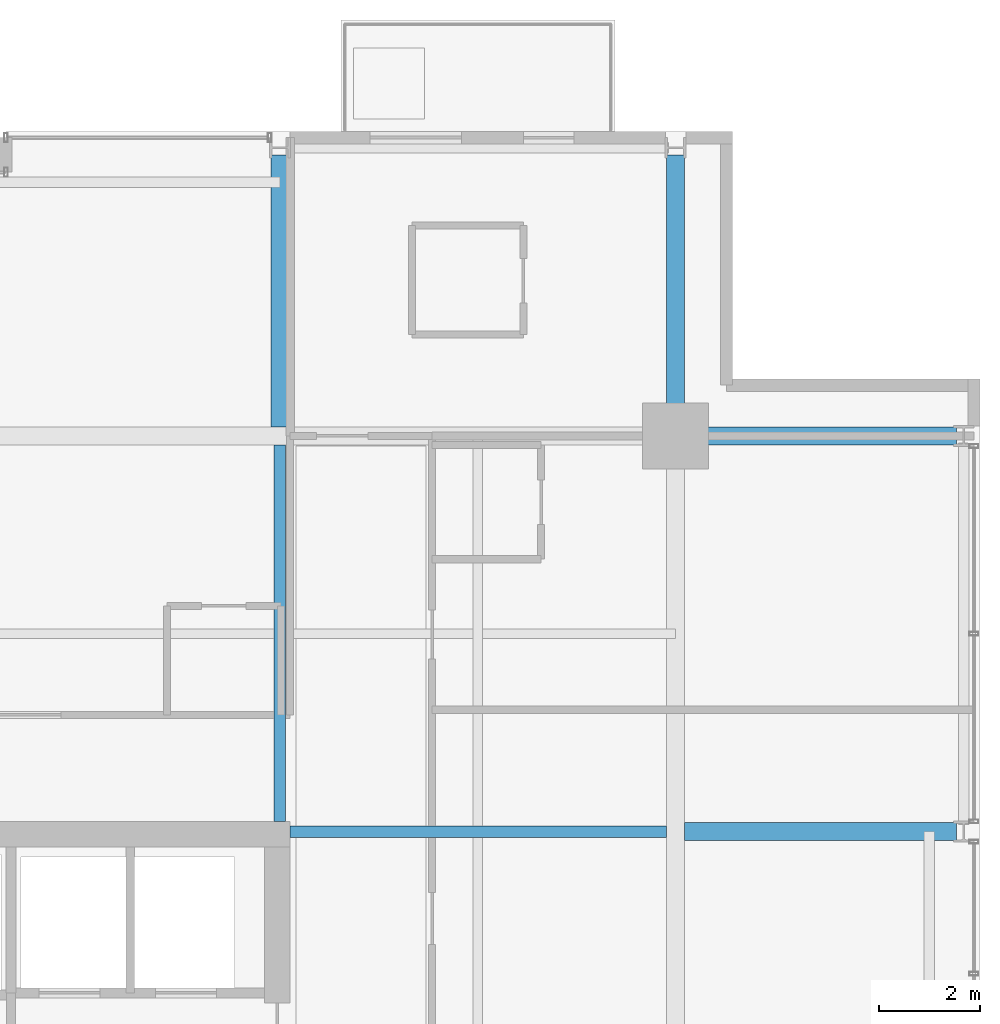
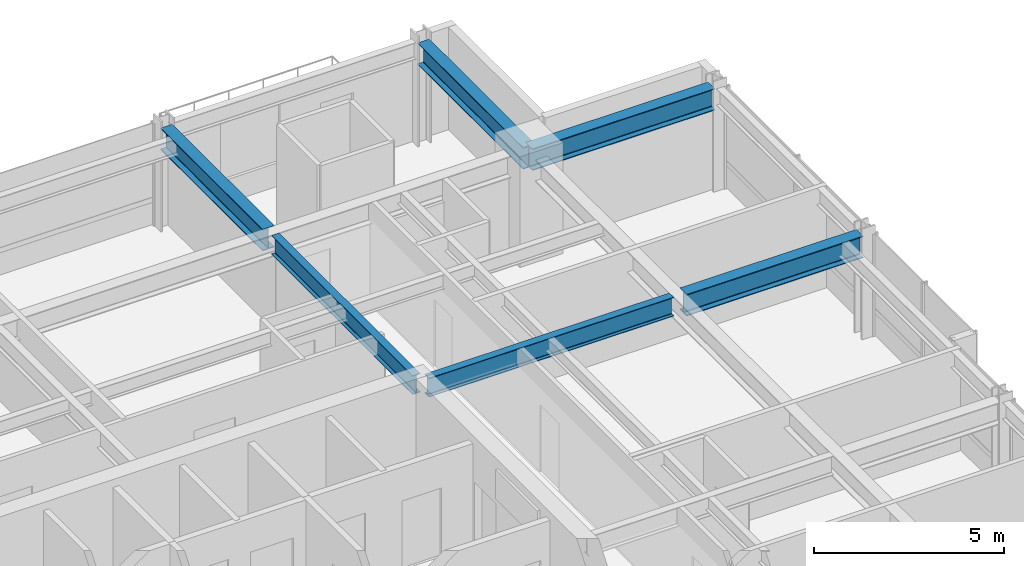
# One storey, part 23 of 33: 6 beams.
"""IFC4 building model written with IfcOpenShell, lengths in metres."""

from ifc_helpers import new_model, si_unit, direction, frame, origin, origin_2d, place, context, subcontext, project, spatial, i_section, extrude, material, material_profile, profile_set, type_object, element, save


model = new_model("IFC4")

# Units and contexts
model_context = context("Model", 3, precision=1e-05, world=origin(), true_north=direction((0.0, 1.0)))
body_context = subcontext(model_context, "Body", "Model", "MODEL_VIEW")
ifc_project = project(units=[si_unit("LENGTHUNIT", "METRE"), si_unit("AREAUNIT", "SQUARE_METRE"), si_unit("VOLUMEUNIT", "CUBIC_METRE"), si_unit("PLANEANGLEUNIT", "RADIAN"), si_unit("MASSUNIT", "GRAM", prefix="KILO")], contexts=[model_context])

# Site, building, storey
site_placement = place(None, origin())
site = spatial("IfcSite", under=ifc_project, at=site_placement, CompositionType="ELEMENT")
building_placement = place(site_placement, origin())
building = spatial("IfcBuilding", under=site, at=building_placement, Name="Drelvath Grand Hotel", CompositionType="ELEMENT")
storey_placement = place(building_placement, frame((0.0, 0.0, 171.699951171875)))
storey = spatial("IfcBuildingStorey", under=building, at=storey_placement, Name="L44", CompositionType="ELEMENT", Elevation=171.699951171875)

# Beams
ifc_material = material(Name="Steel ASTM A992 Gr 50", Category="steel")
ifc_material_profile_1 = material_profile(ifc_material, i_section(OverallWidth=0.228271484375, OverallDepth=0.607666015625, WebThickness=0.01123046875, FlangeThickness=0.017333984375, FilletRadius=0.02001953125, at=origin_2d()), Name="W24X76")
ifc_profile_set_1 = profile_set([ifc_material_profile_1], Name="Steel ASTM A992 Gr 50")
beam_type_1 = type_object("IfcBeamType", Name="Primary Floor Girder W24X76", PredefinedType="BEAM", material=ifc_profile_set_1)
for number, where, z_axis, x_axis, name in (
    (1, (8.60009765625, 35.39990234375, 2.986328125), (1.0, 0.0, 0.0), (0.0, 1.0, 0.0), "L44 East Core Tie F"),
    (2, (8.39990234375, 35.60009765625, 2.986328125), (0.0, 1.0, 0.0), (-1.0, 0.0, 0.0), "L44 North Core Tie 6"),
):
    element("IfcBeam", number, at=place(storey_placement, frame(where, z_axis=z_axis, x_axis=x_axis)), inside=storey, type_object=beam_type_1, Name=name, PredefinedType="BEAM", context=body_context, shape_type="SweptSolid", body=[
        extrude(i_section(OverallWidth=0.228271484375, OverallDepth=0.607666015625, WebThickness=0.01123046875, FlangeThickness=0.017333984375, FilletRadius=0.02001953125, at=origin_2d()), origin(), (0.0, 0.0, 1.0), 7.422607421875),
    ])
ifc_material_profile_2 = material_profile(ifc_material, i_section(OverallWidth=0.354736328125, OverallDepth=0.695556640625, WebThickness=0.015380859375, FlangeThickness=0.025146484375, FilletRadius=0.02392578125, at=origin_2d()), Name="W27X146")
ifc_profile_set_2 = profile_set([ifc_material_profile_2], Name="Steel ASTM A992 Gr 50")
beam_type_2 = type_object("IfcBeamType", Name="Primary Floor Girder W27X146", PredefinedType="BEAM", material=ifc_profile_set_2)
beam_1_placement = place(storey_placement, frame((16.199951171875, 43.199951171875, 2.9423828125), z_axis=(1.0, 0.0, 0.0), x_axis=(0.0, 1.0, 0.0)))
element("IfcBeam", 3, at=beam_1_placement, inside=storey, type_object=beam_type_2, Name="L44 East Grid Girder G", PredefinedType="BEAM", context=body_context, shape_type="SweptSolid", body=[
    extrude(i_section(OverallWidth=0.354736328125, OverallDepth=0.695556640625, WebThickness=0.015380859375, FlangeThickness=0.025146484375, FilletRadius=0.02392578125, at=origin_2d()), origin(), (0.0, 0.0, 1.0), 5.5400390625),
])
beam_2_placement = place(storey_placement, frame((16.37744140625, 35.39990234375, 2.9423828125), z_axis=(1.0, 0.0, 0.0), x_axis=(0.0, 1.0, 0.0)))
element("IfcBeam", 4, at=beam_2_placement, inside=storey, type_object=beam_type_2, Name="L44 East Wing Girder F", PredefinedType="BEAM", context=body_context, shape_type="SweptSolid", body=[
    extrude(i_section(OverallWidth=0.354736328125, OverallDepth=0.695556640625, WebThickness=0.015380859375, FlangeThickness=0.025146484375, FilletRadius=0.02392578125, at=origin_2d()), origin(), (0.0, 0.0, 1.0), 5.362548828125),
])
beam_3_placement = place(storey_placement, frame((16.199951171875, 43.199951171875, 2.9423828125), z_axis=(0.0, 1.0, 0.0), x_axis=(-1.0, 0.0, 0.0)))
element("IfcBeam", 5, at=beam_3_placement, inside=storey, type_object=beam_type_2, Name="L44 North Grid Girder 7", PredefinedType="BEAM", context=body_context, shape_type="SweptSolid", body=[
    extrude(i_section(OverallWidth=0.354736328125, OverallDepth=0.695556640625, WebThickness=0.015380859375, FlangeThickness=0.025146484375, FilletRadius=0.02392578125, at=origin_2d()), origin(), (0.0, 0.0, 1.0), 5.5400390625),
])
beam_4_placement = place(storey_placement, frame((8.39990234375, 43.37744140625, 2.9423828125), z_axis=(0.0, 1.0, 0.0), x_axis=(-1.0, 0.0, 0.0)))
element("IfcBeam", 6, at=beam_4_placement, inside=storey, type_object=beam_type_2, Name="L44 North Wing Girder 6", PredefinedType="BEAM", context=body_context, shape_type="SweptSolid", body=[
    extrude(i_section(OverallWidth=0.354736328125, OverallDepth=0.695556640625, WebThickness=0.015380859375, FlangeThickness=0.025146484375, FilletRadius=0.02392578125, at=origin_2d()), origin(), (0.0, 0.0, 1.0), 5.362548828125),
])

save(model, "model.ifc")
